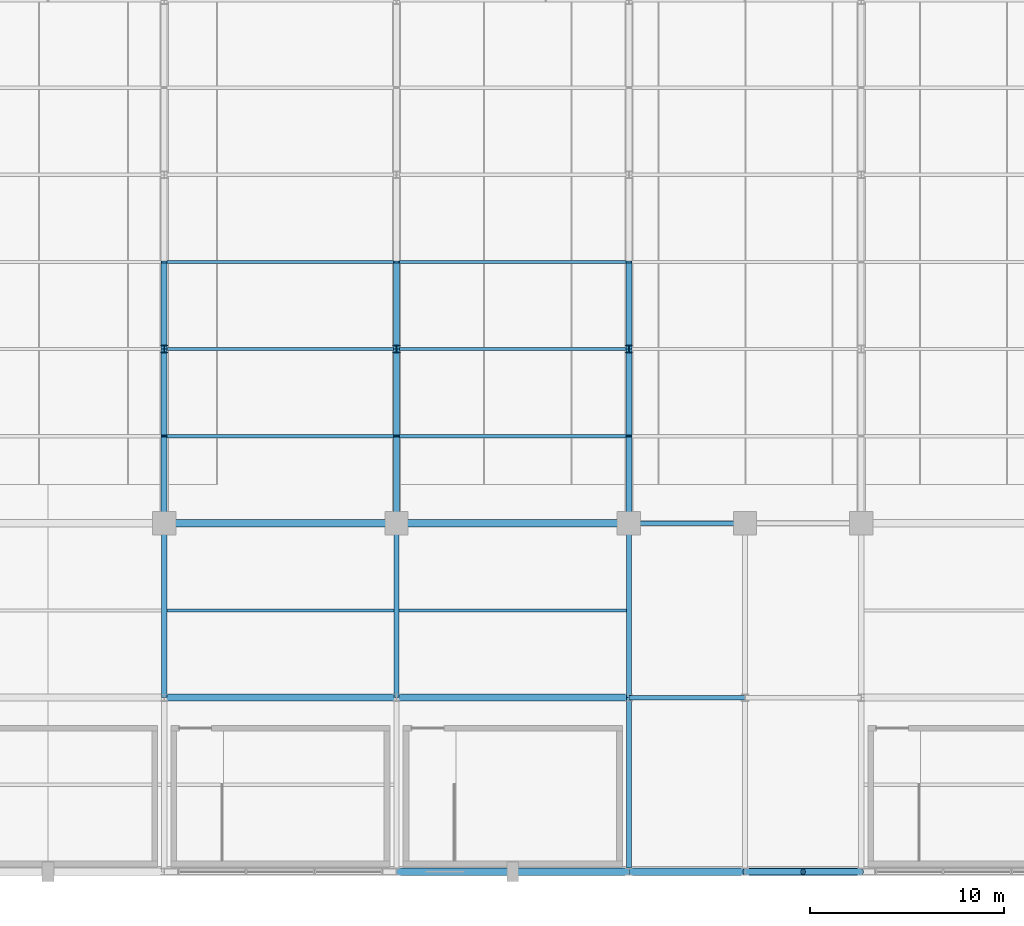
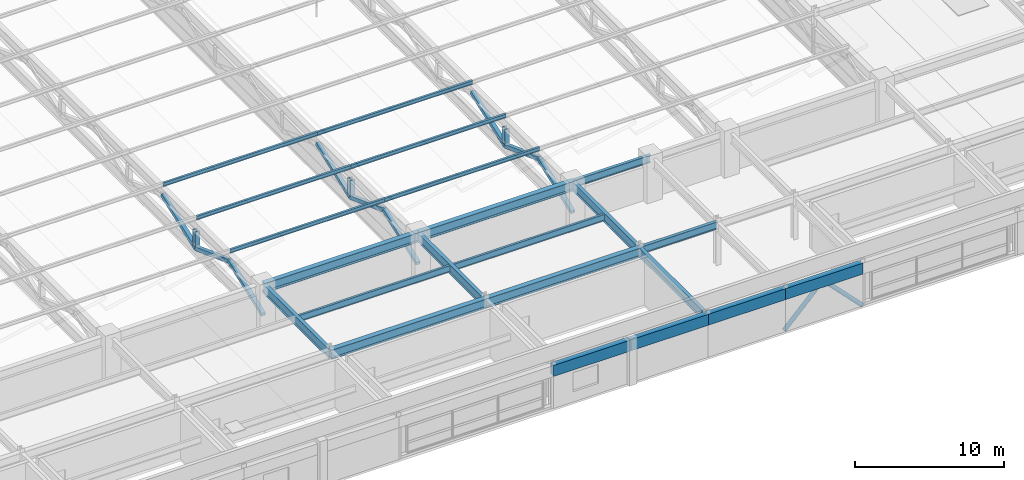
# One storey, part 32 of 108: 20 members, 16 beams.
"""IFC4 building model written with IfcOpenShell, lengths in metres."""

from ifc_helpers import new_model, si_unit, direction, frame, origin, origin_2d, place, context, subcontext, project, spatial, rectangle, hollow_rectangle, hollow_circle, i_section, extrude, material, material_profile, profile_set, type_object, element, save


model = new_model("IFC4")

# Units and contexts
model_context = context("Model", 3, precision=1e-05, world=origin(), true_north=direction((0.0, 1.0)))
body_context = subcontext(model_context, "Body", "Model", "MODEL_VIEW")
ifc_project = project(units=[si_unit("LENGTHUNIT", "METRE"), si_unit("AREAUNIT", "SQUARE_METRE"), si_unit("VOLUMEUNIT", "CUBIC_METRE"), si_unit("PLANEANGLEUNIT", "RADIAN"), si_unit("MASSUNIT", "GRAM", prefix="KILO")], contexts=[model_context])

# Site, building, storey
site_placement = place(None, origin())
site = spatial("IfcSite", under=ifc_project, at=site_placement, CompositionType="ELEMENT")
building_placement = place(site_placement, origin())
building = spatial("IfcBuilding", under=site, at=building_placement, Name="Kaldorvane Square Convention Centre", CompositionType="ELEMENT")
storey_placement = place(building_placement, frame((0.0, 0.0, 23.399993896484375)))
storey = spatial("IfcBuildingStorey", under=building, at=storey_placement, Name="L04", CompositionType="ELEMENT", Elevation=23.399993896484375)

# Beams
ifc_material_1 = material(Name="Steel ASTM A992 Gr. 50", Category="steel")
ifc_material_profile_1 = material_profile(ifc_material_1, i_section(OverallWidth=0.2303009033203125, OverallDepth=0.61749267578125, WebThickness=0.0131072998046875, FlangeThickness=0.0222015380859375, FilletRadius=0.0126953125, at=origin_2d()), Name="W24X94")
ifc_profile_set_1 = profile_set([ifc_material_profile_1], Name="Steel ASTM A992 Gr. 50")
beam_type_1 = type_object("IfcBeamType", Name="BM-GR-W24X94", PredefinedType="BEAM", material=ifc_profile_set_1)
for number, where, z_axis, x_axis, name in (
    (1, (90.0, 9.0, 3.2172088623046875), (1.0, 0.0, 0.0), (0.0, 1.0, 0.0), "Primary Girder (L04)"),
    (2, (90.0, 18.0, 3.2172088623046875), (1.0, 0.0, 0.0), (0.0, 1.0, 0.0), "Primary Girder (L04)"),
):
    element("IfcBeam", number, at=place(storey_placement, frame(where, z_axis=z_axis, x_axis=x_axis)), inside=storey, type_object=beam_type_1, Name=name, PredefinedType="BEAM", context=body_context, shape_type="SweptSolid", body=[
        extrude(i_section(OverallWidth=0.2303009033203125, OverallDepth=0.61749267578125, WebThickness=0.0131072998046875, FlangeThickness=0.0222015380859375, FilletRadius=0.0126953125, at=origin_2d()), origin(), (0.0, 0.0, 1.0), 6.0),
    ])
ifc_material_profile_2 = material_profile(ifc_material_1, i_section(OverallWidth=0.2666015625, OverallDepth=0.762298583984375, WebThickness=0.014404296875, FlangeThickness=0.0216064453125, FilletRadius=0.0164947509765625, at=origin_2d()), Name="W30X116")
ifc_profile_set_2 = profile_set([ifc_material_profile_2], Name="Steel ASTM A992 Gr. 50")
beam_type_2 = type_object("IfcBeamType", Name="BM-GR-W30X116", PredefinedType="BEAM", material=ifc_profile_set_2)
for number, where, z_axis, x_axis, name in (
    (3, (66.0, 9.0, 3.144805908203125), (0.0, 1.0, 0.0), (-1.0, 0.0, 0.0), "Transverse Girder (L04)"),
    (4, (78.0, 9.0, 3.144805908203125), (0.0, 1.0, 0.0), (-1.0, 0.0, 0.0), "Transverse Girder (L04)"),
    (5, (90.0, 0.0, 3.144805908203125), (0.0, 1.0, 0.0), (-1.0, 0.0, 0.0), "Transverse Girder (L04)"),
    (6, (90.0, 9.0, 3.144805908203125), (0.0, 1.0, 0.0), (-1.0, 0.0, 0.0), "Transverse Girder (L04)"),
):
    element("IfcBeam", number, at=place(storey_placement, frame(where, z_axis=z_axis, x_axis=x_axis)), inside=storey, type_object=beam_type_2, Name=name, PredefinedType="BEAM", context=body_context, shape_type="SweptSolid", body=[
        extrude(i_section(OverallWidth=0.2666015625, OverallDepth=0.762298583984375, WebThickness=0.014404296875, FlangeThickness=0.0216064453125, FilletRadius=0.0164947509765625, at=origin_2d()), origin(), (0.0, 0.0, 1.0), 9.0),
    ])
ifc_material_profile_3 = material_profile(ifc_material_1, i_section(OverallWidth=0.380706787109375, OverallDepth=0.773193359375, WebThickness=0.0166015625, FlangeThickness=0.027099609375, FilletRadius=0.0164947509765625, at=origin_2d()), Name="W30X173")
ifc_profile_set_3 = profile_set([ifc_material_profile_3], Name="Steel ASTM A992 Gr. 50")
beam_type_3 = type_object("IfcBeamType", Name="BM-GR-W30X173", PredefinedType="BEAM", material=ifc_profile_set_3)
for number, where, z_axis, x_axis, name in (
    (7, (66.0, 9.0, 3.139404296875), (1.0, 0.0, 0.0), (0.0, 1.0, 0.0), "Primary Girder (L04)"),
    (8, (78.0, 9.0, 3.139404296875), (1.0, 0.0, 0.0), (0.0, 1.0, 0.0), "Primary Girder (L04)"),
    (9, (66.0, 18.0, 3.139404296875), (1.0, 0.0, 0.0), (0.0, 1.0, 0.0), "Primary Girder (L04)"),
    (10, (78.0, 18.0, 3.139404296875), (1.0, 0.0, 0.0), (0.0, 1.0, 0.0), "Primary Girder (L04)"),
):
    element("IfcBeam", number, at=place(storey_placement, frame(where, z_axis=z_axis, x_axis=x_axis)), inside=storey, type_object=beam_type_3, Name=name, PredefinedType="BEAM", context=body_context, shape_type="SweptSolid", body=[
        extrude(i_section(OverallWidth=0.380706787109375, OverallDepth=0.773193359375, WebThickness=0.0166015625, FlangeThickness=0.027099609375, FilletRadius=0.0164947509765625, at=origin_2d()), origin(), (0.0, 0.0, 1.0), 12.0),
    ])
ifc_material_profile_4 = material_profile(ifc_material_1, i_section(OverallWidth=0.1658935546875, OverallDepth=0.5290985107421875, WebThickness=0.00970458984375, FlangeThickness=0.0135955810546875, FilletRadius=0.0126953125, at=origin_2d()), Name="W21X50")
ifc_profile_set_4 = profile_set([ifc_material_profile_4], Name="Steel ASTM A992 Gr. 50")
beam_type_4 = type_object("IfcBeamType", Name="BM-JS-W21X50", PredefinedType="JOIST", material=ifc_profile_set_4)
for number, where, z_axis, x_axis, name in (
    (11, (66.13330078125, 13.5, 3.26141357421875), (1.0, 0.0, 0.0), (0.0, 1.0, 0.0), "Secondary Floor Joist (L04)"),
    (12, (78.13330078125, 13.5, 3.26141357421875), (1.0, 0.0, 0.0), (0.0, 1.0, 0.0), "Secondary Floor Joist (L04)"),
):
    element("IfcBeam", number, at=place(storey_placement, frame(where, z_axis=z_axis, x_axis=x_axis)), inside=storey, type_object=beam_type_4, Name=name, PredefinedType="JOIST", context=body_context, shape_type="SweptSolid", body=[
        extrude(i_section(OverallWidth=0.1658935546875, OverallDepth=0.5290985107421875, WebThickness=0.00970458984375, FlangeThickness=0.0135955810546875, FilletRadius=0.0126953125, at=origin_2d()), origin(), (0.0, 0.0, 1.0), 11.7333984375),
    ])
ifc_material_2 = material(Name="Concrete f'c = 42 MPa (Normalweight)", Category="concrete")
ifc_material_profile_5 = material_profile(ifc_material_2, rectangle(XDim=0.399993896484375, YDim=0.899993896484375, at=origin_2d()), Name="RCSP900X400")
ifc_profile_set_5 = profile_set([ifc_material_profile_5], Name="Concrete f'c = 42 MPa (Normalweight)")
beam_type_5 = type_object("IfcBeamType", Name="BM-SP-RC900", PredefinedType="SPANDREL", material=ifc_profile_set_5)
for number, where, z_axis, x_axis, name in (
    (13, (78.0, 0.0, 3.0760040283203125), (1.0, 0.0, 0.0), (0.0, 1.0, 0.0), "Perimeter Spandrel (L04)"),
    (14, (84.0, 0.0, 3.0760040283203125), (1.0, 0.0, 0.0), (0.0, 1.0, 0.0), "Perimeter Spandrel (L04)"),
    (15, (90.0, 0.0, 3.0760040283203125), (1.0, 0.0, 0.0), (0.0, 1.0, 0.0), "Perimeter Spandrel (L04)"),
    (16, (96.0, 0.0, 3.0760040283203125), (1.0, 0.0, 0.0), (0.0, 1.0, 0.0), "Perimeter Spandrel (L04)"),
):
    element("IfcBeam", number, at=place(storey_placement, frame(where, z_axis=z_axis, x_axis=x_axis)), inside=storey, type_object=beam_type_5, Name=name, PredefinedType="SPANDREL", context=body_context, shape_type="SweptSolid", body=[
        extrude(rectangle(XDim=0.399993896484375, YDim=0.899993896484375, at=origin_2d()), origin(), (0.0, 0.0, 1.0), 6.0),
    ])

# Members
ifc_material_3 = material(Name="Steel ASTM A500 Gr. C", Category="steel")
ifc_material_profile_6 = material_profile(ifc_material_3, hollow_circle(Radius=0.161956787109375, WallThickness=0.0117950439453125, at=origin_2d()), Name="HSS12.750X0.500")
ifc_profile_set_6 = profile_set([ifc_material_profile_6], Name="Steel ASTM A500 Gr. C")
member_type_1 = type_object("IfcMemberType", Name="MB-BR-CHS12", PredefinedType="BRACE", material=ifc_profile_set_6)
for number, where, z_axis, x_axis, name in (
    (17, (96.0, 0.0, 0.0), (0.698207041781, 0.0, 0.71589589104), (0.0, 1.0, 0.0), "Seismic Chevron Brace Y0-B2A (L04)"),
    (18, (102.0, 0.0, 0.0), (-0.698207041781, 0.0, 0.71589589104), (0.0, -1.0, 0.0), "Seismic Chevron Brace Y0-B2B (L04)"),
):
    element("IfcMember", number, at=place(storey_placement, frame(where, z_axis=z_axis, x_axis=x_axis)), inside=storey, type_object=member_type_1, Name=name, PredefinedType="BRACE", context=body_context, shape_type="SweptSolid", body=[
        extrude(hollow_circle(Radius=0.161956787109375, WallThickness=0.0117950439453125, at=origin_2d()), origin(), (0.0, 0.0, 1.0), 4.296722412109375),
    ])
ifc_material_profile_7 = material_profile(ifc_material_3, hollow_rectangle(XDim=0.3047943115234375, YDim=0.3047943115234375, WallThickness=0.0117950439453125, at=origin_2d()), Name="HSS12X12X1/2")
ifc_profile_set_7 = profile_set([ifc_material_profile_7], Name="Steel ASTM A500 Gr. C")
member_type_2 = type_object("IfcMemberType", Name="MB-BR-HSS12", PredefinedType="BRACE", material=ifc_profile_set_7)
for number, where, z_axis, x_axis, name in (
    (19, (66.0, 18.0, 0.8800048828125), (0.0, 0.937283847769, 0.348567050524), (-1.0, 0.0, 0.0), "Hall Roof Truss RT-04 Web 1A"),
    (20, (66.0, 22.5, 2.5535125732421875), (0.0, 0.937283847769, -0.348567050524), (-1.0, 0.0, 0.0), "Hall Roof Truss RT-04 Web 1B"),
    (21, (66.0, 27.0, 0.8800048828125), (0.0, 0.937283847769, 0.348567050524), (-1.0, 0.0, 0.0), "Hall Roof Truss RT-04 Web 2A"),
    (22, (78.0, 18.0, 0.8800048828125), (0.0, 0.937283847769, 0.348567050524), (-1.0, 0.0, 0.0), "Hall Roof Truss RT-05 Web 1A"),
    (23, (78.0, 22.5, 2.5535125732421875), (0.0, 0.937283847769, -0.348567050524), (-1.0, 0.0, 0.0), "Hall Roof Truss RT-05 Web 1B"),
    (24, (78.0, 27.0, 0.8800048828125), (0.0, 0.937283847769, 0.348567050524), (-1.0, 0.0, 0.0), "Hall Roof Truss RT-05 Web 2A"),
    (25, (90.0, 18.0, 0.8800048828125), (0.0, 0.937283847769, 0.348567050524), (-1.0, 0.0, 0.0), "Hall Roof Truss RT-06 Web 1A"),
    (26, (90.0, 22.5, 2.5535125732421875), (0.0, 0.937283847769, -0.348567050524), (-1.0, 0.0, 0.0), "Hall Roof Truss RT-06 Web 1B"),
    (27, (90.0, 27.0, 0.8800048828125), (0.0, 0.937283847769, 0.348567050524), (-1.0, 0.0, 0.0), "Hall Roof Truss RT-06 Web 2A"),
):
    element("IfcMember", number, at=place(storey_placement, frame(where, z_axis=z_axis, x_axis=x_axis)), inside=storey, type_object=member_type_2, Name=name, PredefinedType="BRACE", context=body_context, shape_type="SweptSolid", body=[
        extrude(hollow_rectangle(XDim=0.3047943115234375, YDim=0.3047943115234375, WallThickness=0.0117950439453125, at=origin_2d()), origin(), (0.0, 0.0, 1.0), 4.8011016845703125),
    ])
ifc_material_profile_8 = material_profile(ifc_material_1, i_section(OverallWidth=0.164794921875, OverallDepth=0.310394287109375, WebThickness=0.00579833984375, FlangeThickness=0.00970458984375, FilletRadius=0.007598876953125, at=origin_2d()), Name="W12X26")
ifc_profile_set_8 = profile_set([ifc_material_profile_8], Name="Steel ASTM A992 Gr. 50")
member_type_3 = type_object("IfcMemberType", Name="MB-PR-W12X26", PredefinedType="PURLIN", material=ifc_profile_set_8)
for number, where, z_axis, x_axis, name in (
    (28, (66.0, 22.5, 3.3628082275390625), (1.0, 0.0, 0.0), (0.0, 1.0, 0.0), "Hall Roof Steel Purlin"),
    (29, (66.0, 27.0, 3.3628082275390625), (1.0, 0.0, 0.0), (0.0, 1.0, 0.0), "Hall Roof Steel Purlin"),
    (30, (66.0, 31.5, 3.3628082275390625), (1.0, 0.0, 0.0), (0.0, 1.0, 0.0), "Hall Roof Steel Purlin"),
    (31, (78.0, 22.5, 3.3628082275390625), (1.0, 0.0, 0.0), (0.0, 1.0, 0.0), "Hall Roof Steel Purlin"),
    (32, (78.0, 27.0, 3.3628082275390625), (1.0, 0.0, 0.0), (0.0, 1.0, 0.0), "Hall Roof Steel Purlin"),
    (33, (78.0, 31.5, 3.3628082275390625), (1.0, 0.0, 0.0), (0.0, 1.0, 0.0), "Hall Roof Steel Purlin"),
):
    element("IfcMember", number, at=place(storey_placement, frame(where, z_axis=z_axis, x_axis=x_axis)), inside=storey, type_object=member_type_3, Name=name, PredefinedType="PURLIN", context=body_context, shape_type="SweptSolid", body=[
        extrude(i_section(OverallWidth=0.164794921875, OverallDepth=0.310394287109375, WebThickness=0.00579833984375, FlangeThickness=0.00970458984375, FilletRadius=0.007598876953125, at=origin_2d()), origin(), (0.0, 0.0, 1.0), 12.0),
    ])
ifc_material_profile_9 = material_profile(ifc_material_1, i_section(OverallWidth=0.373992919921875, OverallDepth=0.372406005859375, WebThickness=0.0164031982421875, FlangeThickness=0.0261993408203125, FilletRadius=0.0305023193359375, at=origin_2d()), Name="W14X132")
ifc_profile_set_9 = profile_set([ifc_material_profile_9], Name="Steel ASTM A992 Gr. 50")
member_type_4 = type_object("IfcMemberType", Name="MB-PS-W14X132", PredefinedType="POST", material=ifc_profile_set_9)
for number, where, z_axis, x_axis, name in (
    (34, (66.0, 27.0, 1.0500030517578125), (0.0, 0.0, 1.0), (1.0, 0.0, 0.0), "Hall Roof Truss RT-04 Post 1"),
    (35, (78.0, 27.0, 1.0500030517578125), (0.0, 0.0, 1.0), (1.0, 0.0, 0.0), "Hall Roof Truss RT-05 Post 1"),
    (36, (90.0, 27.0, 1.0500030517578125), (0.0, 0.0, 1.0), (1.0, 0.0, 0.0), "Hall Roof Truss RT-06 Post 1"),
):
    element("IfcMember", number, at=place(storey_placement, frame(where, z_axis=z_axis, x_axis=x_axis)), inside=storey, type_object=member_type_4, Name=name, PredefinedType="POST", context=body_context, shape_type="SweptSolid", body=[
        extrude(i_section(OverallWidth=0.373992919921875, OverallDepth=0.372406005859375, WebThickness=0.0164031982421875, FlangeThickness=0.0261993408203125, FilletRadius=0.0305023193359375, at=origin_2d()), origin(), (0.0, 0.0, 1.0), 1.33349609375),
    ])

save(model, "model.ifc")
